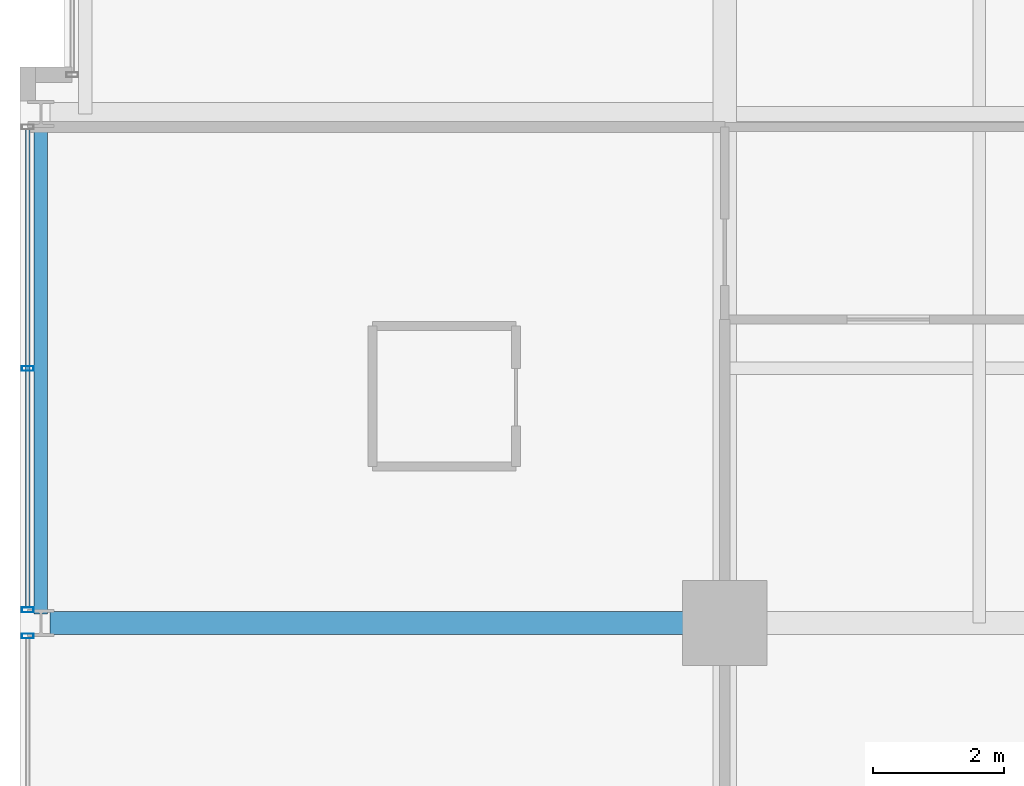
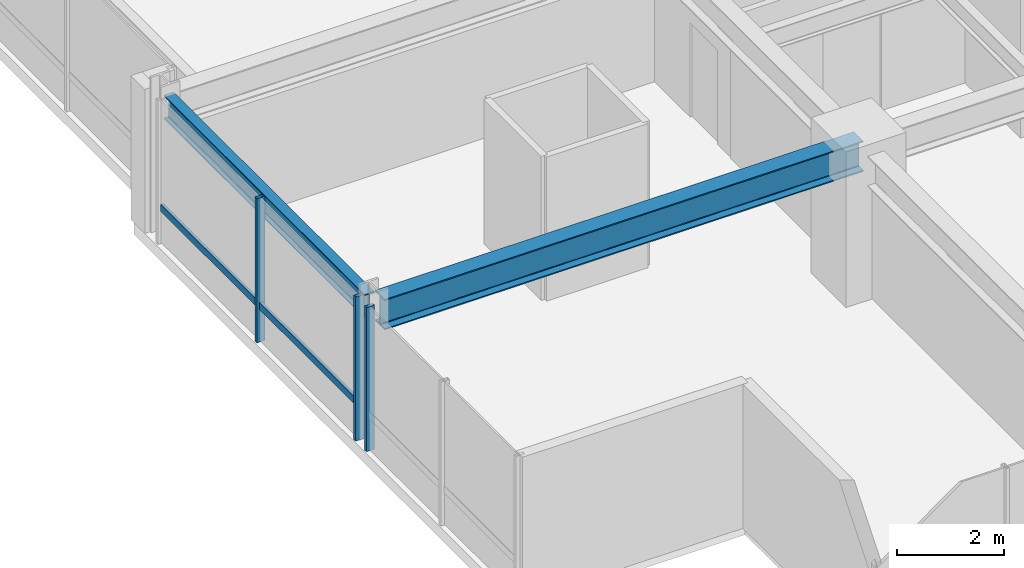
# One storey, part 4 of 34: 4 members, 2 beams, 2 elements without a shape of their own.
"""IFC4 building model written with IfcOpenShell, lengths in metres."""

from ifc_helpers import new_model, si_unit, direction, frame, origin, origin_2d, place, context, subcontext, project, spatial, hollow_rectangle, i_section, extrude, material, layer, layer_set, material_profile, profile_set, type_object, element, aggregate, save


model = new_model("IFC4")

# Units and contexts
model_context = context("Model", 3, precision=1e-05, world=origin(), true_north=direction((0.0, 1.0)))
body_context = subcontext(model_context, "Body", "Model", "MODEL_VIEW")
ifc_project = project(units=[si_unit("LENGTHUNIT", "METRE"), si_unit("AREAUNIT", "SQUARE_METRE"), si_unit("VOLUMEUNIT", "CUBIC_METRE"), si_unit("PLANEANGLEUNIT", "RADIAN"), si_unit("MASSUNIT", "GRAM", prefix="KILO")], contexts=[model_context])

# Site, building, storey
site_placement = place(None, origin())
site = spatial("IfcSite", under=ifc_project, at=site_placement, CompositionType="ELEMENT")
building_placement = place(site_placement, origin())
building = spatial("IfcBuilding", under=site, at=building_placement, Name="Drelvath Grand Hotel", CompositionType="ELEMENT")
storey_placement = place(building_placement, frame((0.0, 0.0, 175.25)))
storey = spatial("IfcBuildingStorey", under=building, at=storey_placement, Name="L45", CompositionType="ELEMENT", Elevation=175.25)

# Curtain wall, member
ifc_material_1 = material(Name="Brushed Pale-Silver Anodised Aluminium Frame", Category="aluminium")
ifc_layer = layer(ifc_material_1, 0.199951171875)
ifc_layer_set = layer_set([ifc_layer], Name="Brushed Pale-Silver Anodised Aluminium Frame")
curtain_wall_type = type_object("IfcCurtainWallType", Name="Stick Curtain Wall CW-04 Brushed Silver Upper-Mid", PredefinedType="NOTDEFINED", material=ifc_layer_set)
curtain_wall_1_placement = place(storey_placement, origin())
curtain_wall_1 = element("IfcCurtainWall", 1, at=curtain_wall_1_placement, inside=storey, type_object=curtain_wall_type, Name="L45 CW-04 Curtain Wall CW04-L45-WS2", PredefinedType="NOTDEFINED")
ifc_material_profile_1 = material_profile(ifc_material_1, hollow_rectangle(XDim=0.06494140625, YDim=0.159912109375, WallThickness=0.00390625, at=origin_2d()), Name="HSS160X65X4")
ifc_profile_set_1 = profile_set([ifc_material_profile_1], Name="Brushed Pale-Silver Anodised Aluminium Frame")
member_type_1 = type_object("IfcMemberType", Name="Curtain Wall Horizontal Transom CW-04 HSS160X65X4", PredefinedType="USERDEFINED", material=ifc_profile_set_1)
member_1_placement = place(storey_placement, frame((-26.8798828125, 11.0400390625, 0.822509765625), z_axis=(0.0, 1.0, 0.0), x_axis=(-1.0, 0.0, 0.0)))
member_1 = element("IfcMember", 2, at=member_1_placement, type_object=member_type_1, Name="CW04-L45-WS2 Sill Transom", ObjectType="TRANSOM", PredefinedType="USERDEFINED", context=body_context, shape_type="SweptSolid", body=[
    extrude(hollow_rectangle(XDim=0.06494140625, YDim=0.159912109375, WallThickness=0.00390625, at=origin_2d()), origin(), (0.0, 0.0, 1.0), 7.320068359375),
])

curtain_wall_2_placement = place(storey_placement, origin())
curtain_wall_2 = element("IfcCurtainWall", 3, at=curtain_wall_2_placement, inside=storey, type_object=curtain_wall_type, Name="L45 CW-04 Curtain Wall CW04-L45-WS1", PredefinedType="NOTDEFINED")
ifc_material_profile_2 = material_profile(ifc_material_1, hollow_rectangle(XDim=0.074951171875, YDim=0.179931640625, WallThickness=0.0048828125, at=origin_2d()), Name="HSS180X75X5")
ifc_profile_set_2 = profile_set([ifc_material_profile_2], Name="Brushed Pale-Silver Anodised Aluminium Frame")
member_type_2 = type_object("IfcMemberType", Name="Curtain Wall Vertical Mullion CW-04 HSS180X75X5", PredefinedType="MULLION", material=ifc_profile_set_2)
member_2_placement = place(storey_placement, frame((-26.8798828125, 10.599853515625, 0.0), z_axis=(0.0, 0.0, 1.0), x_axis=(0.0, 1.0, 0.0)))
member_2 = element("IfcMember", 4, at=member_2_placement, type_object=member_type_2, Name="CW04-L45-WS1 Mullion 3", PredefinedType="MULLION", context=body_context, shape_type="SweptSolid", body=[
    extrude(hollow_rectangle(XDim=0.074951171875, YDim=0.179931640625, WallThickness=0.0048828125, at=origin_2d()), origin(), (0.0, 0.0, 1.0), 3.2900390625),
])
aggregate(curtain_wall_2, [member_2])

# Member
member_3_placement = place(storey_placement, frame((-26.8798828125, 11.0, 0.0), z_axis=(0.0, 0.0, 1.0), x_axis=(0.0, 1.0, 0.0)))
member_3 = element("IfcMember", 5, at=member_3_placement, type_object=member_type_2, Name="CW04-L45-WS2 Mullion 1", PredefinedType="MULLION", context=body_context, shape_type="SweptSolid", body=[
    extrude(hollow_rectangle(XDim=0.074951171875, YDim=0.179931640625, WallThickness=0.0048828125, at=origin_2d()), origin(), (0.0, 0.0, 1.0), 3.2900390625),
])

member_4_placement = place(storey_placement, frame((-26.8798828125, 14.699951171875, 0.0), z_axis=(0.0, 0.0, 1.0), x_axis=(0.0, 1.0, 0.0)))
member_4 = element("IfcMember", 6, at=member_4_placement, type_object=member_type_2, Name="CW04-L45-WS2 Mullion 2", PredefinedType="MULLION", context=body_context, shape_type="SweptSolid", body=[
    extrude(hollow_rectangle(XDim=0.074951171875, YDim=0.179931640625, WallThickness=0.0048828125, at=origin_2d()), origin(), (0.0, 0.0, 1.0), 3.2900390625),
])

aggregate(curtain_wall_1, [member_3, member_4, member_1])

# Beams
ifc_material_2 = material(Name="Steel ASTM A992 Gr 50", Category="steel")
ifc_material_profile_3 = material_profile(ifc_material_2, i_section(OverallWidth=0.210205078125, OverallDepth=0.53662109375, WebThickness=0.010986328125, FlangeThickness=0.017333984375, FilletRadius=0.01806640625, at=origin_2d()), Name="W21X68")
ifc_profile_set_3 = profile_set([ifc_material_profile_3], Name="Steel ASTM A992 Gr 50")
beam_type_1 = type_object("IfcBeamType", Name="Perimeter Spandrel Beam W21X68", PredefinedType="SPANDREL", material=ifc_profile_set_3)
beam_1_placement = place(storey_placement, frame((-26.679931640625, 10.93994140625, 3.021484375), z_axis=(0.0, 1.0, 0.0), x_axis=(-1.0, 0.0, 0.0)))
element("IfcBeam", 7, at=beam_1_placement, inside=storey, type_object=beam_type_1, Name="L45 Spandrel West S", PredefinedType="SPANDREL", context=body_context, shape_type="SweptSolid", body=[
    extrude(i_section(OverallWidth=0.210205078125, OverallDepth=0.53662109375, WebThickness=0.010986328125, FlangeThickness=0.017333984375, FilletRadius=0.01806640625, at=origin_2d()), origin(), (0.0, 0.0, 1.0), 7.52001953125),
])
ifc_material_profile_4 = material_profile(ifc_material_2, i_section(OverallWidth=0.354736328125, OverallDepth=0.695556640625, WebThickness=0.015380859375, FlangeThickness=0.025146484375, FilletRadius=0.02392578125, at=origin_2d()), Name="W27X146")
ifc_profile_set_4 = profile_set([ifc_material_profile_4], Name="Steel ASTM A992 Gr 50")
beam_type_2 = type_object("IfcBeamType", Name="Primary Floor Girder W27X146", PredefinedType="BEAM", material=ifc_profile_set_4)
beam_2_placement = place(storey_placement, frame((-26.5400390625, 10.800048828125, 2.9423828125), z_axis=(1.0, 0.0, 0.0), x_axis=(0.0, 1.0, 0.0)))
element("IfcBeam", 8, at=beam_2_placement, inside=storey, type_object=beam_type_2, Name="L45 West Grid Girder C", PredefinedType="BEAM", context=body_context, shape_type="SweptSolid", body=[
    extrude(i_section(OverallWidth=0.354736328125, OverallDepth=0.695556640625, WebThickness=0.015380859375, FlangeThickness=0.025146484375, FilletRadius=0.02392578125, at=origin_2d()), origin(), (0.0, 0.0, 1.0), 10.340087890625),
])

save(model, "model.ifc")
